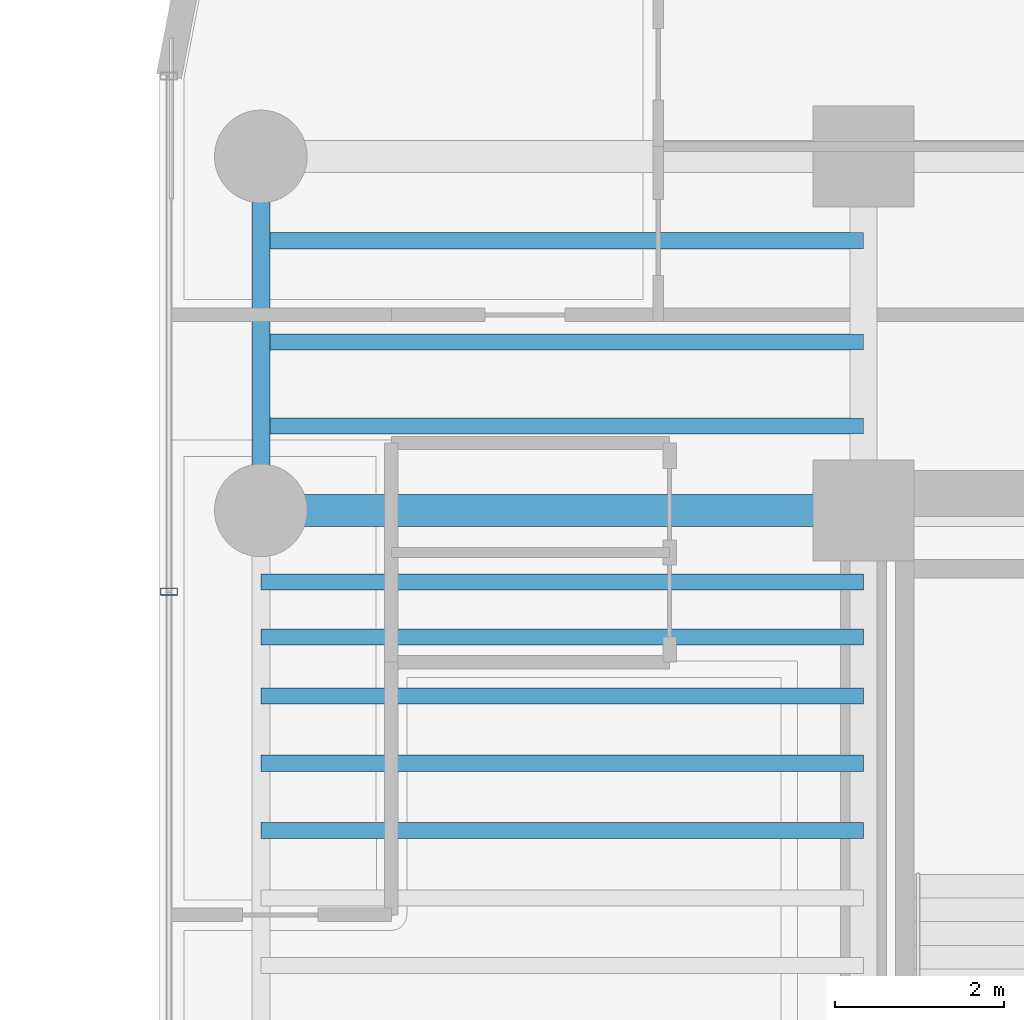
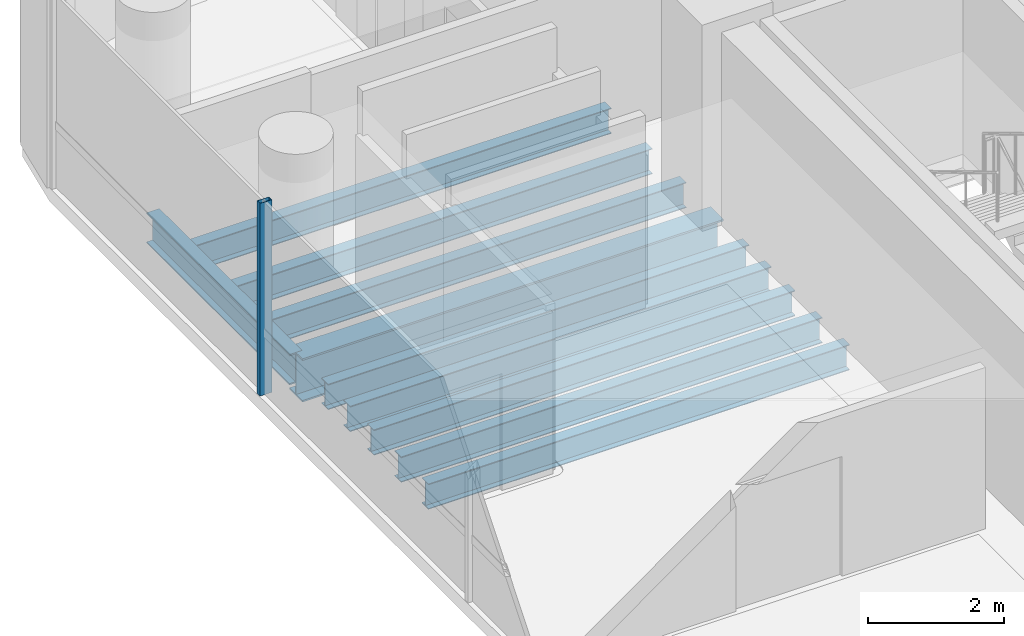
# One storey, part 10 of 34: 10 beams, 1 member, 1 element without a shape of its own.
"""IFC4 building model written with IfcOpenShell, lengths in metres."""

from ifc_helpers import new_model, si_unit, direction, frame, origin, origin_2d, place, context, subcontext, project, spatial, hollow_rectangle, i_section, extrude, source, transform, mapped, material, material_profile, profile_set, type_object, element, aggregate, save


model = new_model("IFC4")

# Units and contexts
model_context = context("Model", 3, precision=1e-05, world=origin(), true_north=direction((0.0, 1.0)))
body_context = subcontext(model_context, "Body", "Model", "MODEL_VIEW")
ifc_project = project(units=[si_unit("LENGTHUNIT", "METRE"), si_unit("AREAUNIT", "SQUARE_METRE"), si_unit("VOLUMEUNIT", "CUBIC_METRE"), si_unit("PLANEANGLEUNIT", "RADIAN"), si_unit("MASSUNIT", "GRAM", prefix="KILO")], contexts=[model_context])

# Site, building, storey
site_placement = place(None, origin())
site = spatial("IfcSite", under=ifc_project, at=site_placement, CompositionType="ELEMENT")
building_placement = place(site_placement, origin())
building = spatial("IfcBuilding", under=site, at=building_placement, Name="Valdorenza Pilgrim Sanctuary Tower", CompositionType="ELEMENT")
storey_placement = place(building_placement, frame((0.0, 0.0, 161.199951171875)))
storey = spatial("IfcBuildingStorey", under=building, at=storey_placement, Name="L41", CompositionType="ELEMENT", Elevation=161.199951171875)

# Beams
ifc_material_1 = material(Name="Steel ASTM A992 Grade 50", Category="steel")
ifc_material_profile_1 = material_profile(ifc_material_1, i_section(OverallWidth=0.214111328125, OverallDepth=0.549072265625, WebThickness=0.0146484375, FlangeThickness=0.023681640625, at=origin_2d()), Name="W21X93")
ifc_profile_set_1 = profile_set([ifc_material_profile_1], Name="Steel ASTM A992 Grade 50")
beam_type_1 = type_object("IfcBeamType", Name="STR-BM-SPN-W21A", PredefinedType="SPANDREL", material=ifc_profile_set_1)
shared_shape_1 = source(origin(), body_context, "Body", "SweptSolid", [
    extrude(i_section(OverallWidth=0.214111328125, OverallDepth=0.549072265625, WebThickness=0.0146484375, FlangeThickness=0.023681640625, at=origin_2d()), origin(), (0.0, 0.0, 1.0), 4.199951171875),
])
beam_1_placement = place(storey_placement, frame((-29.800048828125, 10.60009765625, -0.514404296875), z_axis=(0.0, 1.0, 0.0), x_axis=(-1.0, 0.0, 0.0)))
element("IfcBeam", 1, at=beam_1_placement, inside=storey, type_object=beam_type_1, Name="L41 Spandrel Beam WA-W-N1N2", PredefinedType="SPANDREL", context=body_context, shape_type="MappedRepresentation", body=[
    mapped(shared_shape_1, transform((0.0, 0.0, 0.0), x_axis=(1.0, 0.0, 0.0), y_axis=(0.0, 1.0, 0.0), z_axis=(0.0, 0.0, 1.0), scale=1.0)),
])
ifc_material_profile_2 = material_profile(ifc_material_1, i_section(OverallWidth=0.382080078125, OverallDepth=0.779052734375, WebThickness=0.01806640625, FlangeThickness=0.030029296875, at=origin_2d()), Name="W30X191")
ifc_profile_set_2 = profile_set([ifc_material_profile_2], Name="Steel ASTM A992 Grade 50")
beam_type_2 = type_object("IfcBeamType", Name="STR-BM-GRD-W30", PredefinedType="BEAM", material=ifc_profile_set_2)
shared_shape_2 = source(origin(), body_context, "Body", "SweptSolid", [
    extrude(i_section(OverallWidth=0.382080078125, OverallDepth=0.779052734375, WebThickness=0.01806640625, FlangeThickness=0.030029296875, at=origin_2d()), origin(), (0.0, 0.0, 1.0), 7.150146484375),
])
beam_2_placement = place(storey_placement, frame((-29.800048828125, 10.60009765625, -0.62939453125), z_axis=(1.0, 0.0, 0.0), x_axis=(0.0, 1.0, 0.0)))
element("IfcBeam", 2, at=beam_2_placement, inside=storey, type_object=beam_type_2, Name="L41 Floor Girder WA-XW-N1", PredefinedType="BEAM", context=body_context, shape_type="MappedRepresentation", body=[
    mapped(shared_shape_2, transform((0.0, 0.0, 0.0), x_axis=(1.0, 0.0, 0.0), y_axis=(0.0, 1.0, 0.0), z_axis=(0.0, 0.0, 1.0), scale=1.0)),
])
ifc_material_profile_3 = material_profile(ifc_material_1, i_section(OverallWidth=0.19091796875, OverallDepth=0.45703125, WebThickness=0.009033203125, FlangeThickness=0.014404296875, at=origin_2d()), Name="W18X50")
ifc_profile_set_3 = profile_set([ifc_material_profile_3], Name="Steel ASTM A992 Grade 50")
beam_type_3 = type_object("IfcBeamType", Name="STR-BM-JST-W18B", PredefinedType="JOIST", material=ifc_profile_set_3)
shared_shape_3 = source(origin(), body_context, "Body", "SweptSolid", [
    extrude(i_section(OverallWidth=0.19091796875, OverallDepth=0.45703125, WebThickness=0.009033203125, FlangeThickness=0.014404296875, at=origin_2d()), origin(), (0.0, 0.0, 1.0), 7.150146484375),
])
for number, where, z_axis, x_axis, name in (
    (3, (-29.800048828125, 6.800048828125, -0.468505859375), (1.0, 0.0, 0.0), (0.0, 1.0, 0.0), "L41 Composite Floor Joist JST-WA-19"),
    (4, (-29.800048828125, 7.60009765625, -0.468505859375), (1.0, 0.0, 0.0), (0.0, 1.0, 0.0), "L41 Composite Floor Joist JST-WA-20"),
    (5, (-29.800048828125, 8.39990234375, -0.468505859375), (1.0, 0.0, 0.0), (0.0, 1.0, 0.0), "L41 Composite Floor Joist JST-WA-21"),
    (6, (-29.800048828125, 9.10009765625, -0.468505859375), (1.0, 0.0, 0.0), (0.0, 1.0, 0.0), "L41 Composite Floor Joist JST-WA-22"),
    (7, (-29.800048828125, 9.75, -0.468505859375), (1.0, 0.0, 0.0), (0.0, 1.0, 0.0), "L41 Composite Floor Joist JST-WA-23"),
    (8, (-29.800048828125, 11.60009765625, -0.468505859375), (1.0, 0.0, 0.0), (0.0, 1.0, 0.0), "L41 Composite Floor Joist JST-WA-24"),
    (9, (-29.800048828125, 12.60009765625, -0.468505859375), (1.0, 0.0, 0.0), (0.0, 1.0, 0.0), "L41 Composite Floor Joist JST-WA-25"),
    (10, (-29.800048828125, 13.800048828125, -0.468505859375), (1.0, 0.0, 0.0), (0.0, 1.0, 0.0), "L41 Composite Floor Joist JST-WA-26"),
):
    element("IfcBeam", number, at=place(storey_placement, frame(where, z_axis=z_axis, x_axis=x_axis)), inside=storey, type_object=beam_type_3, Name=name, PredefinedType="JOIST", context=body_context, shape_type="MappedRepresentation", body=[
        mapped(shared_shape_3, transform((0.0, 0.0, 0.0), x_axis=(1.0, 0.0, 0.0), y_axis=(0.0, 1.0, 0.0), z_axis=(0.0, 0.0, 1.0), scale=1.0)),
    ])

# Curtain wall, member
ifc_material_2 = material(Name="Curtain-wall IGU glazing", Category="glass")
curtain_wall_type = type_object("IfcCurtainWallType", Name="CW-SYS-02", PredefinedType="NOTDEFINED", material=ifc_material_2)
curtain_wall_placement = place(storey_placement, origin())
curtain_wall = element("IfcCurtainWall", 11, at=curtain_wall_placement, inside=storey, type_object=curtain_wall_type, Name="L41 Curtain Wall CW-L41-1-1S2", PredefinedType="NOTDEFINED")
ifc_material_3 = material(Name="Anodised aluminium AW-6060", Category="aluminium")
ifc_material_profile_4 = material_profile(ifc_material_3, hollow_rectangle(XDim=0.0849609375, YDim=0.199951171875, WallThickness=0.0048828125, at=origin_2d()), Name="ALU-M 200x85x5")
ifc_profile_set_4 = profile_set([ifc_material_profile_4], Name="Anodised aluminium AW-6060")
member_type = type_object("IfcMemberType", Name="CW-MUL-02", PredefinedType="MULLION", material=ifc_profile_set_4)
shared_shape_4 = source(origin(), body_context, "Body", "SweptSolid", [
    extrude(hollow_rectangle(XDim=0.0849609375, YDim=0.199951171875, WallThickness=0.0048828125, at=origin_2d()), origin(), (0.0, 0.0, 1.0), 3.4599609375),
])
member_placement = place(storey_placement, frame((-30.889892578125, 9.635986328125, 0.0), z_axis=(0.0, 0.0, 1.0), x_axis=(0.0, 1.0, 0.0)))
member = element("IfcMember", 12, at=member_placement, type_object=member_type, Name="CW-L41-1-1S2 Mullion 3", PredefinedType="MULLION", context=body_context, shape_type="MappedRepresentation", body=[
    mapped(shared_shape_4, transform((0.0, 0.0, 0.0), x_axis=(1.0, 0.0, 0.0), y_axis=(0.0, 1.0, 0.0), z_axis=(0.0, 0.0, 1.0), scale=1.0)),
])
aggregate(curtain_wall, [member])

save(model, "model.ifc")
